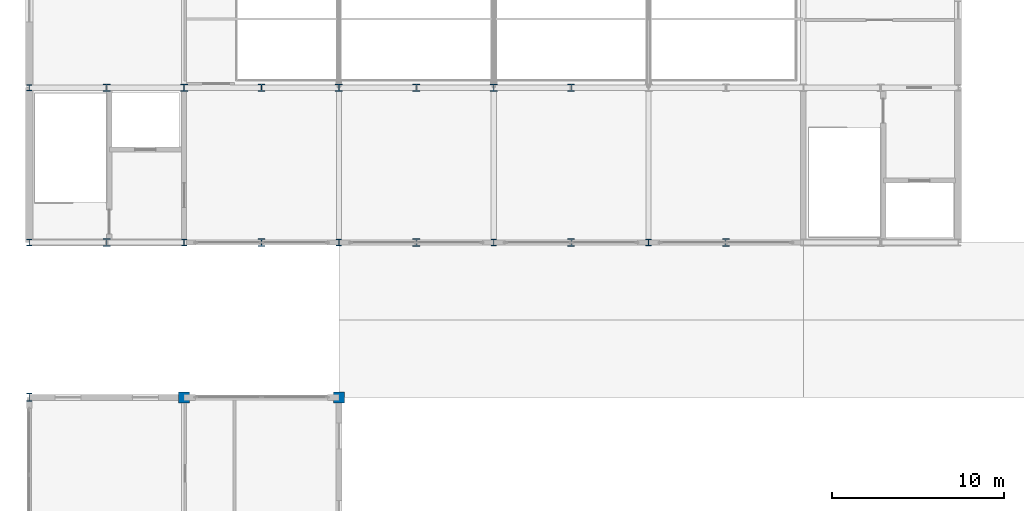
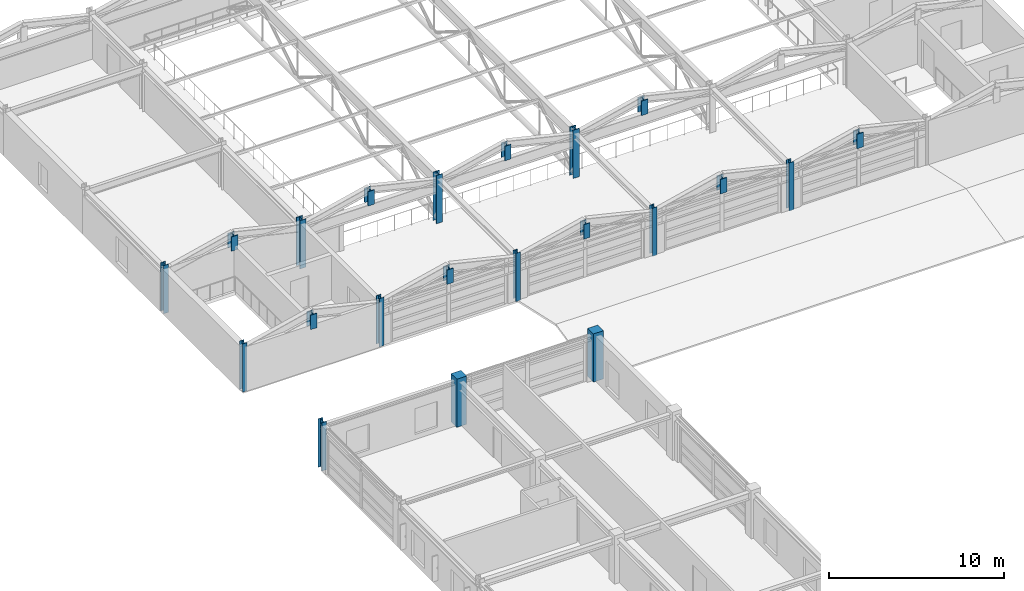
# One storey, part 7 of 91: 21 columns.
"""IFC4 building model written with IfcOpenShell, lengths in metres."""

from ifc_helpers import new_model, si_unit, direction, frame, origin, origin_2d, place, context, subcontext, project, spatial, rectangle, i_section, extrude, material, material_profile, profile_set, type_object, element, save


model = new_model("IFC4")

# Units and contexts
model_context = context("Model", 3, precision=1e-05, world=origin(), true_north=direction((0.0, 1.0)))
body_context = subcontext(model_context, "Body", "Model", "MODEL_VIEW")
ifc_project = project(units=[si_unit("LENGTHUNIT", "METRE"), si_unit("AREAUNIT", "SQUARE_METRE"), si_unit("VOLUMEUNIT", "CUBIC_METRE"), si_unit("PLANEANGLEUNIT", "RADIAN"), si_unit("MASSUNIT", "GRAM", prefix="KILO")], contexts=[model_context])

# Site, building, storey
site_placement = place(None, origin())
site = spatial("IfcSite", under=ifc_project, at=site_placement, CompositionType="ELEMENT")
building_placement = place(site_placement, origin())
building = spatial("IfcBuilding", under=site, at=building_placement, Name="Palais des Congres Ocreval", CompositionType="ELEMENT")
storey_placement = place(building_placement, frame((0.0, 0.0, 8.159912109375)))
storey = spatial("IfcBuildingStorey", under=building, at=storey_placement, Name="L02", CompositionType="ELEMENT", Elevation=8.159912109375)

# Columns
ifc_material_1 = material(Name="Steel S355", Category="steel")
ifc_material_profile_1 = material_profile(ifc_material_1, i_section(OverallWidth=0.406005859375, OverallDepth=0.416015625, WebThickness=0.0224609375, FlangeThickness=0.0380859375, at=origin_2d()), Name="HD 400x382")
ifc_profile_set_1 = profile_set([ifc_material_profile_1], Name="Steel S355")
column_type_1 = type_object("IfcColumnType", Name="Column HD 400x382 Steel S355", PredefinedType="COLUMN", material=ifc_profile_set_1)
for number, where, z_axis, x_axis, name in (
    (1, (9.0, 90.0, 0.0), (0.0, 0.0, 1.0), (1.0, 0.0, 0.0), "Column C03 L02"),
    (2, (18.0, 90.0, 0.0), (0.0, 0.0, 1.0), (1.0, 0.0, 0.0), "Column C03 L02"),
    (3, (27.0, 90.0, 0.0), (0.0, 0.0, 1.0), (1.0, 0.0, 0.0), "Column C03 L02"),
):
    element("IfcColumn", number, at=place(storey_placement, frame(where, z_axis=z_axis, x_axis=x_axis)), inside=storey, type_object=column_type_1, Name=name, PredefinedType="COLUMN", context=body_context, shape_type="SweptSolid", body=[
        extrude(i_section(OverallWidth=0.406005859375, OverallDepth=0.416015625, WebThickness=0.0224609375, FlangeThickness=0.0380859375, at=origin_2d()), origin(), (0.0, 0.0, 1.0), 3.360107421875),
    ])
ifc_material_2 = material(Name="Steel S460", Category="steel")
ifc_material_profile_2 = material_profile(ifc_material_2, i_section(OverallWidth=0.41796875, OverallDepth=0.455078125, WebThickness=0.031982421875, FlangeThickness=0.055908203125, at=origin_2d()), Name="HD 400x551")
ifc_profile_set_2 = profile_set([ifc_material_profile_2], Name="Steel S460")
column_type_2 = type_object("IfcColumnType", Name="Column HD 400x551 Steel S460", PredefinedType="COLUMN", material=ifc_profile_set_2)
for number, where, z_axis, x_axis, name in (
    (4, (4.5, 81.0, 2.820068359375), (0.0, 0.0, 1.0), (1.0, 0.0, 0.0), "ROOF TRUSS King-Post Strut V1-1-81"),
    (5, (4.5, 90.0, 2.820068359375), (0.0, 0.0, 1.0), (1.0, 0.0, 0.0), "ROOF TRUSS King-Post Strut V1-1-90"),
    (6, (13.5, 81.0, 2.820068359375), (0.0, 0.0, 1.0), (1.0, 0.0, 0.0), "ROOF TRUSS King-Post Strut V1-2-81"),
    (7, (13.5, 90.0, 2.820068359375), (0.0, 0.0, 1.0), (1.0, 0.0, 0.0), "ROOF TRUSS King-Post Strut V1-2-90"),
    (8, (22.5, 81.0, 2.820068359375), (0.0, 0.0, 1.0), (1.0, 0.0, 0.0), "ROOF TRUSS King-Post Strut V1-3-81"),
    (9, (22.5, 90.0, 2.820068359375), (0.0, 0.0, 1.0), (1.0, 0.0, 0.0), "ROOF TRUSS King-Post Strut V1-3-90"),
    (10, (31.5, 81.0, 2.820068359375), (0.0, 0.0, 1.0), (1.0, 0.0, 0.0), "ROOF TRUSS King-Post Strut V1-4-81"),
    (11, (31.5, 90.0, 2.820068359375), (0.0, 0.0, 1.0), (1.0, 0.0, 0.0), "ROOF TRUSS King-Post Strut V1-4-90"),
    (12, (40.5, 81.0, 2.820068359375), (0.0, 0.0, 1.0), (1.0, 0.0, 0.0), "ROOF TRUSS King-Post Strut V1-5-81"),
):
    element("IfcColumn", number, at=place(storey_placement, frame(where, z_axis=z_axis, x_axis=x_axis)), inside=storey, type_object=column_type_2, Name=name, PredefinedType="COLUMN", context=body_context, shape_type="SweptSolid", body=[
        extrude(i_section(OverallWidth=0.41796875, OverallDepth=0.455078125, WebThickness=0.031982421875, FlangeThickness=0.055908203125, at=origin_2d()), origin(), (0.0, 0.0, 1.0), 1.005126953125),
    ])
ifc_material_profile_3 = material_profile(ifc_material_1, i_section(OverallWidth=0.300048828125, OverallDepth=0.360107421875, WebThickness=0.012451171875, FlangeThickness=0.0224609375, at=origin_2d()), Name="HEB 360")
ifc_profile_set_3 = profile_set([ifc_material_profile_3], Name="Steel S355")
column_type_3 = type_object("IfcColumnType", Name="Column HEB 360 Steel S355", PredefinedType="COLUMN", material=ifc_profile_set_3)
for number, where, z_axis, x_axis, name in (
    (13, (0.0, 81.0, 0.0), (0.0, 0.0, 1.0), (1.0, 0.0, 0.0), "Column C11 L02"),
    (14, (0.0, 90.0, 0.0), (0.0, 0.0, 1.0), (1.0, 0.0, 0.0), "Column C11 L02"),
    (15, (9.0, 81.0, 0.0), (0.0, 0.0, 1.0), (1.0, 0.0, 0.0), "Column C11 L02"),
    (16, (18.0, 81.0, 0.0), (0.0, 0.0, 1.0), (1.0, 0.0, 0.0), "Column C11 L02"),
    (17, (27.0, 81.0, 0.0), (0.0, 0.0, 1.0), (1.0, 0.0, 0.0), "Column C11 L02"),
    (18, (36.0, 81.0, 0.0), (0.0, 0.0, 1.0), (1.0, 0.0, 0.0), "Column C11 L02"),
):
    element("IfcColumn", number, at=place(storey_placement, frame(where, z_axis=z_axis, x_axis=x_axis)), inside=storey, type_object=column_type_3, Name=name, PredefinedType="COLUMN", context=body_context, shape_type="SweptSolid", body=[
        extrude(i_section(OverallWidth=0.300048828125, OverallDepth=0.360107421875, WebThickness=0.012451171875, FlangeThickness=0.0224609375, at=origin_2d()), origin(), (0.0, 0.0, 1.0), 3.360107421875),
    ])
ifc_material_profile_4 = material_profile(ifc_material_1, i_section(OverallWidth=0.306884765625, OverallDepth=0.47802734375, WebThickness=0.02099609375, FlangeThickness=0.0400390625, at=origin_2d()), Name="HEM 450")
ifc_profile_set_4 = profile_set([ifc_material_profile_4], Name="Steel S355")
column_type_4 = type_object("IfcColumnType", Name="Column HEM 450 Steel S355", PredefinedType="COLUMN", material=ifc_profile_set_4)
column_placement = place(storey_placement, frame((0.0, 72.0, 0.0), z_axis=(0.0, 0.0, 1.0), x_axis=(1.0, 0.0, 0.0)))
element("IfcColumn", 19, at=column_placement, inside=storey, type_object=column_type_4, Name="Column C06 L02", PredefinedType="COLUMN", context=body_context, shape_type="SweptSolid", body=[
    extrude(i_section(OverallWidth=0.306884765625, OverallDepth=0.47802734375, WebThickness=0.02099609375, FlangeThickness=0.0400390625, at=origin_2d()), origin(), (0.0, 0.0, 1.0), 3.360107421875),
])
ifc_material_3 = material(Name="Concrete C40/50", Category="concrete")
ifc_material_profile_5 = material_profile(ifc_material_3, rectangle(XDim=0.64990234375, YDim=0.64990234375, at=origin_2d()), Name="RC 650x650")
ifc_profile_set_5 = profile_set([ifc_material_profile_5], Name="Concrete C40/50")
column_type_5 = type_object("IfcColumnType", Name="Column RC 650x650 Concrete C40/50", PredefinedType="COLUMN", material=ifc_profile_set_5)
for number, where, z_axis, x_axis, name in (
    (20, (9.0, 72.0, 0.0), (0.0, 0.0, 1.0), (1.0, 0.0, 0.0), "Column C23 L02"),
    (21, (18.0, 72.0, 0.0), (0.0, 0.0, 1.0), (1.0, 0.0, 0.0), "Column C23 L02"),
):
    element("IfcColumn", number, at=place(storey_placement, frame(where, z_axis=z_axis, x_axis=x_axis)), inside=storey, type_object=column_type_5, Name=name, PredefinedType="COLUMN", context=body_context, shape_type="SweptSolid", body=[
        extrude(rectangle(XDim=0.64990234375, YDim=0.64990234375, at=origin_2d()), origin(), (0.0, 0.0, 1.0), 3.360107421875),
    ])

save(model, "model.ifc")
